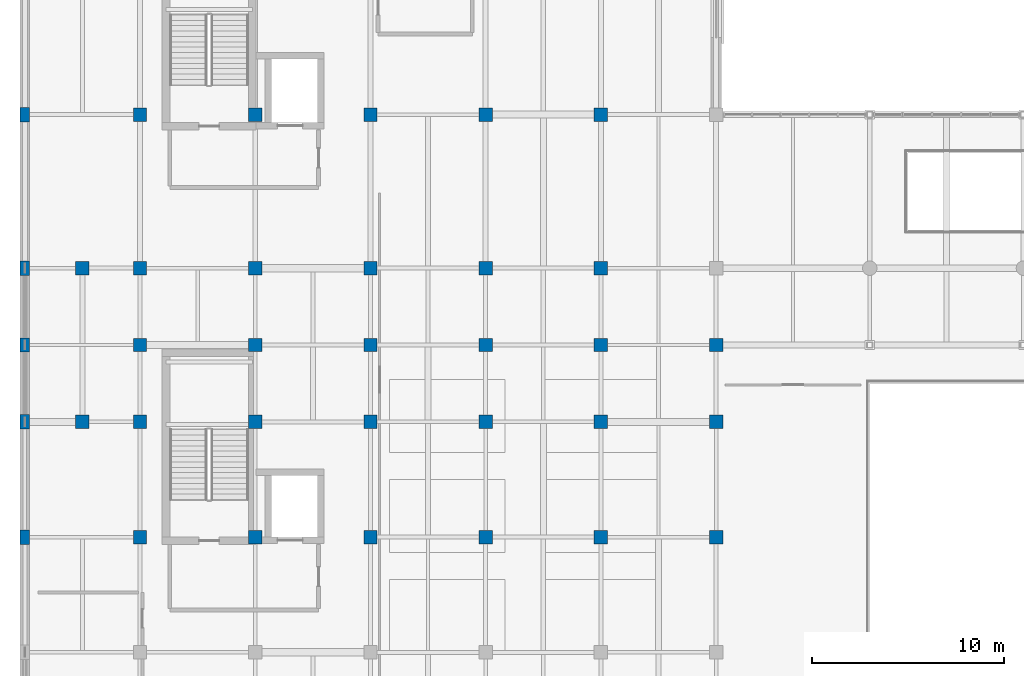
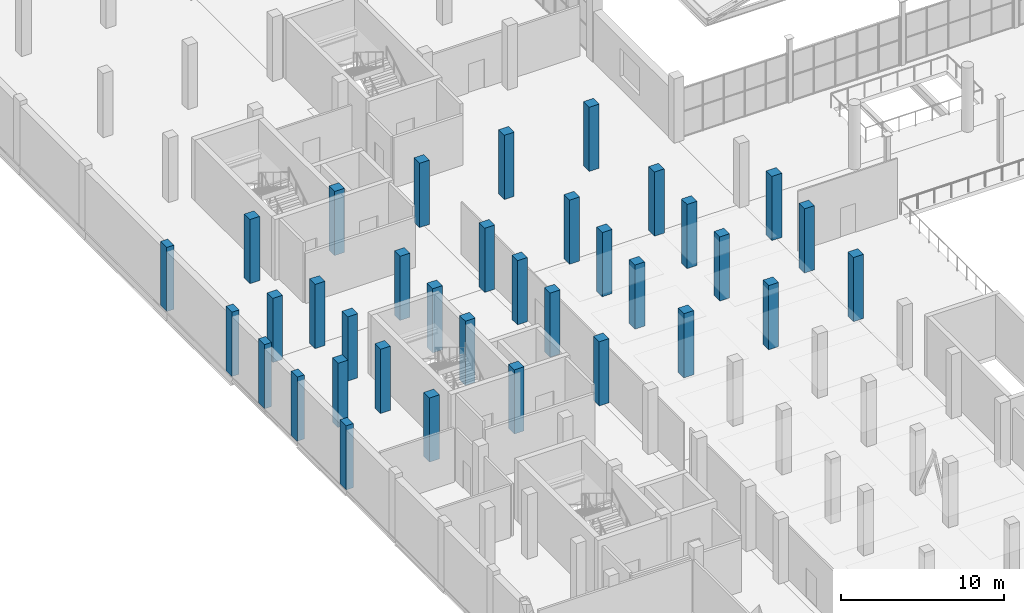
# One storey, part 3 of 114: 35 columns.
"""IFC4 building model written with IfcOpenShell, lengths in metres."""

from ifc_helpers import new_model, si_unit, direction, frame, origin, origin_2d, place, context, subcontext, project, spatial, rectangle, extrude, material, material_profile, profile_set, type_object, element, save


model = new_model("IFC4")

# Units and contexts
model_context = context("Model", 3, precision=1e-05, world=origin(), true_north=direction((0.0, 1.0)))
body_context = subcontext(model_context, "Body", "Model", "MODEL_VIEW")
ifc_project = project(units=[si_unit("LENGTHUNIT", "METRE"), si_unit("AREAUNIT", "SQUARE_METRE"), si_unit("VOLUMEUNIT", "CUBIC_METRE"), si_unit("PLANEANGLEUNIT", "RADIAN"), si_unit("MASSUNIT", "GRAM", prefix="KILO")], contexts=[model_context])

# Site, building, storey
site_placement = place(None, origin())
site = spatial("IfcSite", under=ifc_project, at=site_placement, CompositionType="ELEMENT")
building_placement = place(site_placement, origin())
building = spatial("IfcBuilding", under=site, at=building_placement, Name="Verrall Gate Interchange", CompositionType="ELEMENT")
storey_placement = place(building_placement, frame((0.0, 0.0, 6.60009765625)))
storey = spatial("IfcBuildingStorey", under=building, at=storey_placement, Name="L02", CompositionType="ELEMENT", Elevation=6.60009765625)

# Columns
ifc_material_1 = material(Name="Concrete CSA A23.1 40 MPa (Class N)", Category="concrete")
ifc_material_profile_1 = material_profile(ifc_material_1, rectangle(XDim=0.699951171875, YDim=0.699951171875, at=origin_2d()), Name="RC700x700")
ifc_profile_set_1 = profile_set([ifc_material_profile_1], Name="Concrete CSA A23.1 40 MPa (Class N)")
column_type_1 = type_object("IfcColumnType", Name="C-03 Column RC700x700", PredefinedType="COLUMN", material=ifc_profile_set_1)
for number, where, z_axis, x_axis, name in (
    (1, (3.0, 40.0, 0.0), (0.0, 0.0, 1.0), (1.0, 0.0, 0.0), "L02 Column COL-L02-0118 (C-03)"),
    (2, (3.0, 48.0, 0.0), (0.0, 0.0, 1.0), (1.0, 0.0, 0.0), "L02 Column COL-L02-0125 (C-03)"),
    (3, (6.0, 34.0, 0.0), (0.0, 0.0, 1.0), (1.0, 0.0, 0.0), "L02 Column COL-L02-0184 (C-03)"),
    (4, (6.0, 40.0, 0.0), (0.0, 0.0, 1.0), (1.0, 0.0, 0.0), "L02 Column COL-L02-0193 (C-03)"),
    (5, (6.0, 44.0, 0.0), (0.0, 0.0, 1.0), (1.0, 0.0, 0.0), "L02 Column COL-L02-0202 (C-03)"),
    (6, (6.0, 48.0, 0.0), (0.0, 0.0, 1.0), (1.0, 0.0, 0.0), "L02 Column COL-L02-0211 (C-03)"),
    (7, (6.0, 56.0, 0.0), (0.0, 0.0, 1.0), (1.0, 0.0, 0.0), "L02 Column COL-L02-0219 (C-03)"),
    (8, (12.0, 34.0, 0.0), (0.0, 0.0, 1.0), (1.0, 0.0, 0.0), "L02 Column COL-L02-0301 (C-03)"),
    (9, (12.0, 40.0, 0.0), (0.0, 0.0, 1.0), (1.0, 0.0, 0.0), "L02 Column COL-L02-0310 (C-03)"),
    (10, (12.0, 44.0, 0.0), (0.0, 0.0, 1.0), (1.0, 0.0, 0.0), "L02 Column COL-L02-0319 (C-03)"),
    (11, (12.0, 48.0, 0.0), (0.0, 0.0, 1.0), (1.0, 0.0, 0.0), "L02 Column COL-L02-0328 (C-03)"),
    (12, (12.0, 56.0, 0.0), (0.0, 0.0, 1.0), (1.0, 0.0, 0.0), "L02 Column COL-L02-0336 (C-03)"),
    (13, (18.0, 34.0, 0.0), (0.0, 0.0, 1.0), (1.0, 0.0, 0.0), "L02 Column COL-L02-0418 (C-03)"),
    (14, (18.0, 40.0, 0.0), (0.0, 0.0, 1.0), (1.0, 0.0, 0.0), "L02 Column COL-L02-0427 (C-03)"),
    (15, (18.0, 44.0, 0.0), (0.0, 0.0, 1.0), (1.0, 0.0, 0.0), "L02 Column COL-L02-0436 (C-03)"),
    (16, (18.0, 48.0, 0.0), (0.0, 0.0, 1.0), (1.0, 0.0, 0.0), "L02 Column COL-L02-0445 (C-03)"),
    (17, (18.0, 56.0, 0.0), (0.0, 0.0, 1.0), (1.0, 0.0, 0.0), "L02 Column COL-L02-0453 (C-03)"),
    (18, (24.0, 34.0, 0.0), (0.0, 0.0, 1.0), (1.0, 0.0, 0.0), "L02 Column COL-L02-0535 (C-03)"),
    (19, (24.0, 40.0, 0.0), (0.0, 0.0, 1.0), (1.0, 0.0, 0.0), "L02 Column COL-L02-0544 (C-03)"),
    (20, (24.0, 44.0, 0.0), (0.0, 0.0, 1.0), (1.0, 0.0, 0.0), "L02 Column COL-L02-0553 (C-03)"),
    (21, (24.0, 48.0, 0.0), (0.0, 0.0, 1.0), (1.0, 0.0, 0.0), "L02 Column COL-L02-0562 (C-03)"),
    (22, (24.0, 56.0, 0.0), (0.0, 0.0, 1.0), (1.0, 0.0, 0.0), "L02 Column COL-L02-0570 (C-03)"),
    (23, (30.0, 34.0, 0.0), (0.0, 0.0, 1.0), (1.0, 0.0, 0.0), "L02 Column COL-L02-0652 (C-03)"),
    (24, (30.0, 40.0, 0.0), (0.0, 0.0, 1.0), (1.0, 0.0, 0.0), "L02 Column COL-L02-0661 (C-03)"),
    (25, (30.0, 44.0, 0.0), (0.0, 0.0, 1.0), (1.0, 0.0, 0.0), "L02 Column COL-L02-0670 (C-03)"),
    (26, (30.0, 48.0, 0.0), (0.0, 0.0, 1.0), (1.0, 0.0, 0.0), "L02 Column COL-L02-0679 (C-03)"),
    (27, (30.0, 56.0, 0.0), (0.0, 0.0, 1.0), (1.0, 0.0, 0.0), "L02 Column COL-L02-0687 (C-03)"),
    (28, (36.0, 34.0, 0.0), (0.0, 0.0, 1.0), (1.0, 0.0, 0.0), "L02 Column COL-L02-0765 (C-03)"),
    (29, (36.0, 40.0, 0.0), (0.0, 0.0, 1.0), (1.0, 0.0, 0.0), "L02 Column COL-L02-0773 (C-03)"),
    (30, (36.0, 44.0, 0.0), (0.0, 0.0, 1.0), (1.0, 0.0, 0.0), "L02 Column COL-L02-0781 (C-03)"),
):
    element("IfcColumn", number, at=place(storey_placement, frame(where, z_axis=z_axis, x_axis=x_axis)), inside=storey, type_object=column_type_1, Name=name, PredefinedType="COLUMN", context=body_context, shape_type="SweptSolid", body=[
        extrude(rectangle(XDim=0.699951171875, YDim=0.699951171875, at=origin_2d()), origin(), (0.0, 0.0, 1.0), 4.7998046875),
    ])
ifc_material_2 = material(Name="Concrete CSA A23.1 40 MPa (Class C-1)", Category="concrete")
ifc_material_profile_2 = material_profile(ifc_material_2, rectangle(XDim=0.5, YDim=0.75, at=origin_2d()), Name="RC500x750")
ifc_profile_set_2 = profile_set([ifc_material_profile_2], Name="Concrete CSA A23.1 40 MPa (Class C-1)")
column_type_2 = type_object("IfcColumnType", Name="C-05 Pilaster RC500x750", PredefinedType="PILASTER", material=ifc_profile_set_2)
for number, where, z_axis, x_axis, name in (
    (31, (0.0, 34.0, 0.0), (0.0, 0.0, 1.0), (1.0, 0.0, 0.0), "L02 Column COL-L02-0047 (C-05)"),
    (32, (0.0, 40.0, 0.0), (0.0, 0.0, 1.0), (1.0, 0.0, 0.0), "L02 Column COL-L02-0054 (C-05)"),
    (33, (0.0, 44.0, 0.0), (0.0, 0.0, 1.0), (1.0, 0.0, 0.0), "L02 Column COL-L02-0061 (C-05)"),
    (34, (0.0, 48.0, 0.0), (0.0, 0.0, 1.0), (1.0, 0.0, 0.0), "L02 Column COL-L02-0068 (C-05)"),
    (35, (0.0, 56.0, 0.0), (0.0, 0.0, 1.0), (1.0, 0.0, 0.0), "L02 Column COL-L02-0075 (C-05)"),
):
    element("IfcColumn", number, at=place(storey_placement, frame(where, z_axis=z_axis, x_axis=x_axis)), inside=storey, type_object=column_type_2, Name=name, PredefinedType="PILASTER", context=body_context, shape_type="SweptSolid", body=[
        extrude(rectangle(XDim=0.5, YDim=0.75, at=origin_2d()), origin(), (0.0, 0.0, 1.0), 4.7998046875),
    ])

save(model, "model.ifc")
